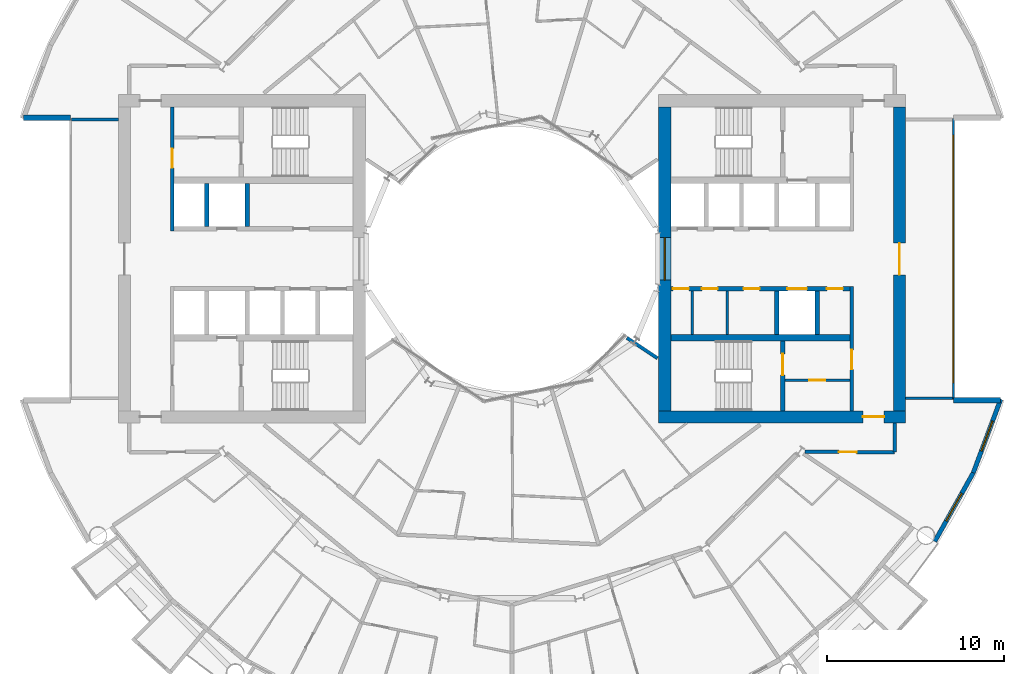
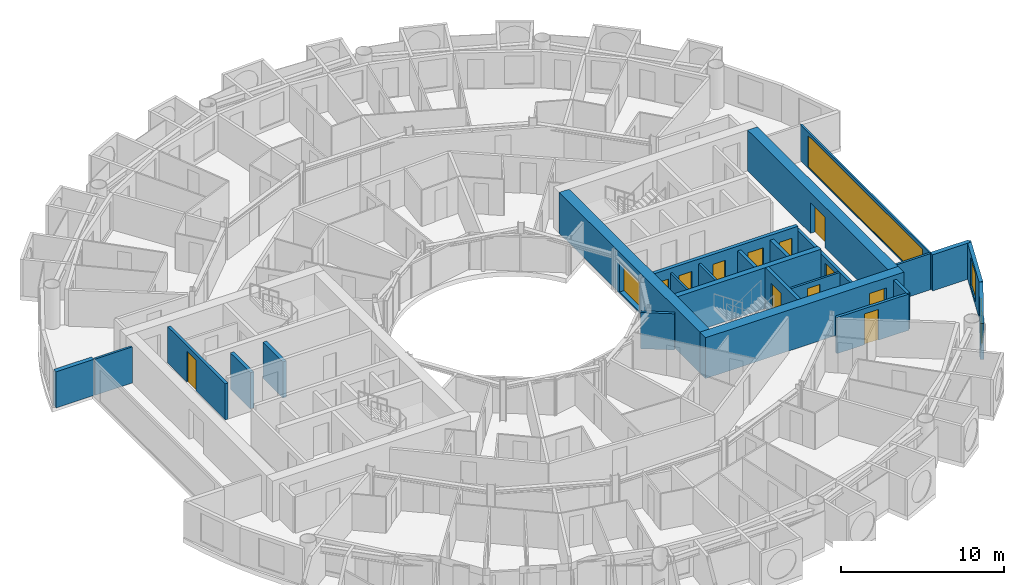
# One storey, part 17 of 26: 25 walls, 12 doors, 4 windows, 16 openings.
"""IFC4 building model written with IfcOpenShell, lengths in metres."""

import ifcopenshell
import ifcopenshell.guid

model = None  # the IFC model being written
_history = None  # IfcOwnerHistory: only IFC2X3 demands one
_inside = {}  # id of a spatial element -> (the spatial element, [elements in it])
_under = {}  # id of a project, library or spatial element -> (it, [spatial elements below it])
_declared = {}  # id of a project -> (the project, [libraries it declares])
_typed = {}  # id of a type object -> (the type object, [elements of that type])
_made_of = {}  # id of a material, layer set ... -> (it, [elements and type objects made of it])


def new_model(schema):
    """Start an empty IFC model of exactly this schema.

    Asked for "IFC4X3", IfcOpenShell would pick the latest addendum, in which some entities
    have other attributes; the version numbers below select the first issue.
    IFC2X3 requires an IfcOwnerHistory on every rooted entity: one is made here for all.
    """
    global model, _history
    if schema == "IFC4X3":
        model = ifcopenshell.file(schema_version=(4, 3, 0, 0))
    else:
        model = ifcopenshell.file(schema=schema)
    _inside.clear()
    _under.clear()
    _declared.clear()
    _typed.clear()
    _made_of.clear()
    _history = None
    if model.schema == "IFC2X3":
        org = make("IfcOrganization", Name="unknown")
        user = make(
            "IfcPersonAndOrganization",
            ThePerson=make("IfcPerson", FamilyName="unknown"),
            TheOrganization=org,
        )
        app = make(
            "IfcApplication",
            ApplicationDeveloper=org,
            Version="unknown",
            ApplicationFullName="unknown",
            ApplicationIdentifier="unknown",
        )
        _history = make(
            "IfcOwnerHistory",
            OwningUser=user,
            OwningApplication=app,
            ChangeAction="ADDED",
            CreationDate=0,
        )
    return model


def make(cls, **values):
    """One entity of the class cls with the attributes given. An attribute that is None is left unset."""
    return model.create_entity(
        cls, **{name: value for name, value in values.items() if value is not None}
    )


def rooted(cls, **values):
    """An entity with a GlobalId (a new one), such as an element, a storey or a relation."""
    return make(cls, GlobalId=ifcopenshell.guid.new(), OwnerHistory=_history, **values)


def si_unit(unit_type, name, prefix=None):
    """IfcSIUnit, for example si_unit("LENGTHUNIT", "METRE", prefix="MILLI")."""
    return make("IfcSIUnit", UnitType=unit_type, Prefix=prefix, Name=name)


def assignment(units):
    """IfcUnitAssignment: the units of a project."""
    return None if units is None else make("IfcUnitAssignment", Units=units)


def point(xyz):
    """IfcCartesianPoint."""
    return None if xyz is None else make("IfcCartesianPoint", Coordinates=xyz)


def direction(xyz):
    """IfcDirection."""
    return None if xyz is None else make("IfcDirection", DirectionRatios=xyz)


def frame(location, z_axis=None, x_axis=None):
    """IfcAxis2Placement3D, a coordinate frame: its origin and axes. An axis left out is left unset."""
    return make(
        "IfcAxis2Placement3D",
        Location=point(location),
        Axis=direction(z_axis),
        RefDirection=direction(x_axis),
    )


def frame_2d(location, x_axis=None):
    """IfcAxis2Placement2D, a coordinate frame in the plane: its origin and x axis."""
    return make(
        "IfcAxis2Placement2D", Location=point(location), RefDirection=direction(x_axis)
    )


def origin():
    """The frame at (0, 0, 0) with its axes left unset."""
    return frame((0.0, 0.0, 0.0))


def place(relative_to, where):
    """IfcLocalPlacement: puts the frame where relative to a parent placement (None: the world)."""
    return make(
        "IfcLocalPlacement", PlacementRelTo=relative_to, RelativePlacement=where
    )


def context(
    kind, dimensions, precision=None, world=None, true_north=None, identifier=None
):
    """IfcGeometricRepresentationContext, for example the 3D "Model" context."""
    return make(
        "IfcGeometricRepresentationContext",
        ContextIdentifier=identifier,
        ContextType=kind,
        CoordinateSpaceDimension=dimensions,
        Precision=precision,
        WorldCoordinateSystem=world,
        TrueNorth=true_north,
    )


def subcontext(parent, identifier, kind, view, scale=None):
    """IfcGeometricRepresentationSubContext, for example "Body" below "Model"."""
    return make(
        "IfcGeometricRepresentationSubContext",
        ContextIdentifier=identifier,
        ContextType=kind,
        ParentContext=parent,
        TargetScale=scale,
        TargetView=view,
    )


def project(units=None, contexts=None):
    """IfcProject with its units and contexts."""
    return rooted(
        "IfcProject",
        Name="project",
        RepresentationContexts=contexts,
        UnitsInContext=assignment(units),
    )


def spatial(cls, under=None, at=None, **own):
    """A site, building, storey or space (cls), placed at a placement, below another one or the project."""
    s = rooted(cls, ObjectPlacement=at, **own)
    if under is not None:
        _under.setdefault(under.id(), (under, []))[1].append(s)
    return s


def profile(cls, at=None, kind="AREA", **sizes):
    """A parametric profile (cls). Its sizes go by their IFC names, for example OverallWidth=200.0."""
    return make(cls, ProfileType=kind, Position=at, **sizes)


def rectangle(**sizes):
    """IfcRectangleProfileDef."""
    return profile("IfcRectangleProfileDef", **sizes)


def extrude(swept, where, along, depth):
    """IfcExtrudedAreaSolid: the profile swept, set in the frame where, extruded along a direction by depth."""
    return make(
        "IfcExtrudedAreaSolid",
        SweptArea=swept,
        Position=where,
        ExtrudedDirection=direction(along),
        Depth=depth,
    )


def shape(context_of_items, identifier, shape_type, items):
    """IfcShapeRepresentation: the items that make up one representation, for example the "Body"."""
    return make(
        "IfcShapeRepresentation",
        ContextOfItems=context_of_items,
        RepresentationIdentifier=identifier,
        RepresentationType=shape_type,
        Items=items,
    )


def material(Name=None, Category=None):
    """IfcMaterial."""
    return make("IfcMaterial", Name=Name, Category=Category)


def layer(
    of_material, thickness, ventilated=None, Name=None, Category=None, Priority=None
):
    """IfcMaterialLayer: one layer of a wall or slab, of a material (None: an air gap)."""
    return make(
        "IfcMaterialLayer",
        Material=of_material,
        LayerThickness=thickness,
        IsVentilated=ventilated,
        Name=Name,
        Category=Category,
        Priority=Priority,
    )


def layer_set(layers, Name=None):
    """IfcMaterialLayerSet."""
    return make("IfcMaterialLayerSet", MaterialLayers=layers, LayerSetName=Name)


def made_of(thing, what):
    """Note that an element or type object is made of a material, layer set ...; save() writes the relation."""
    if what is not None:
        _made_of.setdefault(what.id(), (what, []))[1].append(thing)
    return thing


def type_object(cls, material=None, **own):
    """A type object (cls), such as IfcWallType, which elements share."""
    return made_of(rooted(cls, **own), material)


def element(
    cls,
    number,
    at=None,
    inside=None,
    cuts=None,
    type_object=None,
    material=None,
    context=None,
    identifier="Body",
    shape_type=None,
    held_by="IfcProductDefinitionShape",
    body=None,
    shapes=None,
    **own,
):
    """One element of the class cls, such as IfcWall. Its Tag is "e" and its number.

    at: its placement. inside: the storey or other place that contains it. cuts: it is an
    opening in that element (IfcRelVoidsElement). A single representation is given by context,
    identifier, shape_type and body (its items); several are given by shapes. held_by: the class
    of the entity that holds the representations. save() writes the other relations.
    """
    e = rooted(cls, Tag="e%d" % number, ObjectPlacement=at, **own)
    if body is not None:
        shapes = [shape(context, identifier, shape_type, body)]
    if shapes is not None:
        e.Representation = make(held_by, Representations=shapes)
    if inside is not None:
        _inside.setdefault(inside.id(), (inside, []))[1].append(e)
    if cuts is not None:
        rooted(
            "IfcRelVoidsElement", RelatingBuildingElement=cuts, RelatedOpeningElement=e
        )
    if type_object is not None:
        _typed.setdefault(type_object.id(), (type_object, []))[1].append(e)
    return made_of(e, material)


def fill(opening, filler):
    """IfcRelFillsElement: the door or window that sits in an opening."""
    return rooted(
        "IfcRelFillsElement",
        RelatingOpeningElement=opening,
        RelatedBuildingElement=filler,
    )


def aggregate(whole, parts):
    """IfcRelAggregates: a whole, such as a stair, and the parts it consists of."""
    return rooted("IfcRelAggregates", RelatingObject=whole, RelatedObjects=parts)


def save(model, path):
    """Write the relations noted so far, then the file.

    IfcRelAggregates (storeys below a building ...), IfcRelContainedInSpatialStructure (elements
    in a storey), IfcRelDefinesByType, IfcRelAssociatesMaterial and IfcRelDeclares: one each for
    every whole, place, type object, material and project.
    """
    for whole, parts in _under.values():
        aggregate(whole, parts)
    for where, things in _inside.values():
        rooted(
            "IfcRelContainedInSpatialStructure",
            RelatedElements=things,
            RelatingStructure=where,
        )
    for kind, things in _typed.values():
        rooted("IfcRelDefinesByType", RelatedObjects=things, RelatingType=kind)
    for what, things in _made_of.values():
        rooted("IfcRelAssociatesMaterial", RelatedObjects=things, RelatingMaterial=what)
    for by, libraries in _declared.values():
        rooted("IfcRelDeclares", RelatingContext=by, RelatedDefinitions=libraries)
    model.write(path)


model = new_model("IFC4")

# Units and contexts
model_context = context("Model", 3, precision=1e-05, world=origin(), true_north=direction((0.0, 1.0)))
body_context = subcontext(model_context, "Body", "Model", "MODEL_VIEW")
ifc_project = project(units=[si_unit("LENGTHUNIT", "METRE"), si_unit("AREAUNIT", "SQUARE_METRE"), si_unit("VOLUMEUNIT", "CUBIC_METRE"), si_unit("PLANEANGLEUNIT", "RADIAN"), si_unit("MASSUNIT", "GRAM", prefix="KILO")], contexts=[model_context])

# Site, building, storey
site_placement = place(None, origin())
site = spatial("IfcSite", under=ifc_project, at=site_placement, CompositionType="ELEMENT")
building_placement = place(site_placement, origin())
building = spatial("IfcBuilding", under=site, at=building_placement, Name="Maasbend Ring Residences", CompositionType="ELEMENT")
storey_placement = place(building_placement, frame((0.0, 0.0, 72.75)))
storey = spatial("IfcBuildingStorey", under=building, at=storey_placement, Name="L20", CompositionType="ELEMENT", Elevation=72.75)

# Wall, openings, doors
ifc_material_1 = material(Name="Concrete C70/85", Category="concrete")
ifc_layer_1 = layer(ifc_material_1, 0.25)
ifc_layer_set_1 = layer_set([ifc_layer_1], Name="Concrete C70/85")
wall_type_1 = type_object("IfcWallType", Name="CORE WALL 250 C70/85", PredefinedType="SHEAR", material=ifc_layer_set_1)
wall_1_placement = place(storey_placement, frame((19.14990234375, -1.699951171875, 0.0), z_axis=(0.0, 0.0, 1.0), x_axis=(-1.0, 0.0, 0.0)))
wall_1 = element("IfcWall", 1, at=wall_1_placement, inside=storey, type_object=wall_type_1, Name="L20 core E wall SPS", PredefinedType="SHEAR", context=body_context, shape_type="SweptSolid", body=[
    extrude(rectangle(XDim=10.14990234375, YDim=0.25, at=frame_2d((5.074951171875, 0.0))), origin(), (0.0, 0.0, 1.0), 3.050048828125),
])
opening_1_placement = place(wall_1_placement, frame((2.449951171875, 0.0, 0.0)))
opening_1 = element("IfcOpeningElement", 2, at=opening_1_placement, cuts=wall_1, Name="Opening LD-E2005", PredefinedType="OPENING", context=body_context, shape_type="SweptSolid", body=[
    extrude(rectangle(XDim=1.10009765625, YDim=2.300048828125, at=frame_2d((0.550048828125, 1.14990234375))), frame((0.0, 0.135009765625, 0.0), z_axis=(0.0, -1.0, 0.0), x_axis=(1.0, 0.0, 0.0)), (0.0, 0.0, 1.0), 0.27001953125),
])
opening_2_placement = place(wall_1_placement, frame((9.137451171875, 0.0, 0.0)))
opening_2 = element("IfcOpeningElement", 3, at=opening_2_placement, cuts=wall_1, Name="Opening D-E2006", PredefinedType="OPENING", context=body_context, shape_type="SweptSolid", body=[
    extrude(rectangle(XDim=0.89990234375, YDim=2.300048828125, at=frame_2d((0.449951171875, 1.14990234375))), frame((0.0, 0.135009765625, 0.0), z_axis=(0.0, -1.0, 0.0), x_axis=(1.0, 0.0, 0.0)), (0.0, 0.0, 1.0), 0.27001953125),
])
opening_3_placement = place(wall_1_placement, frame((7.5, 0.0, 0.0)))
opening_3 = element("IfcOpeningElement", 4, at=opening_3_placement, cuts=wall_1, Name="Opening D-E2007", PredefinedType="OPENING", context=body_context, shape_type="SweptSolid", body=[
    extrude(rectangle(XDim=0.89990234375, YDim=2.300048828125, at=frame_2d((0.449951171875, 1.14990234375))), frame((0.0, 0.135009765625, 0.0), z_axis=(0.0, -1.0, 0.0), x_axis=(1.0, 0.0, 0.0)), (0.0, 0.0, 1.0), 0.27001953125),
])
opening_4_placement = place(wall_1_placement, frame((5.125, 0.0, 0.0)))
opening_4 = element("IfcOpeningElement", 5, at=opening_4_placement, cuts=wall_1, Name="Opening D-E2008", PredefinedType="OPENING", context=body_context, shape_type="SweptSolid", body=[
    extrude(rectangle(XDim=0.89990234375, YDim=2.300048828125, at=frame_2d((0.449951171875, 1.14990234375))), frame((0.0, 0.135009765625, 0.0), z_axis=(0.0, -1.0, 0.0), x_axis=(1.0, 0.0, 0.0)), (0.0, 0.0, 1.0), 0.27001953125),
])
opening_5_placement = place(wall_1_placement, frame((0.41259765625, 0.0, 0.0)))
opening_5 = element("IfcOpeningElement", 6, at=opening_5_placement, cuts=wall_1, Name="Opening D-E2009", PredefinedType="OPENING", context=body_context, shape_type="SweptSolid", body=[
    extrude(rectangle(XDim=0.89990234375, YDim=2.300048828125, at=frame_2d((0.449951171875, 1.14990234375))), frame((0.0, 0.135009765625, 0.0), z_axis=(0.0, -1.0, 0.0), x_axis=(1.0, 0.0, 0.0)), (0.0, 0.0, 1.0), 0.27001953125),
])
ifc_material_2 = material(Name="Stainless steel 316", Category="steel")
door_type_1 = type_object("IfcDoorType", Name="LANDING DOOR 1100 X 2300 FD60", OperationType="DOUBLE_DOOR_SLIDING", PredefinedType="DOOR", material=ifc_material_2)
door_1_placement = place(opening_1_placement, origin())
door_1 = element("IfcDoor", 7, at=door_1_placement, inside=storey, type_object=door_type_1, Name="Landing door SV-E L20", OperationType="DOUBLE_DOOR_SLIDING", OverallHeight=2.300048828125, OverallWidth=1.10009765625, PredefinedType="DOOR", context=body_context, shape_type="SweptSolid", body=[
    extrude(rectangle(XDim=1.10009765625, YDim=2.300048828125, at=frame_2d((0.550048828125, 1.14990234375))), frame((0.0, 0.02490234375, 0.0), z_axis=(0.0, -1.0, 0.0), x_axis=(1.0, 0.0, 0.0)), (0.0, 0.0, 1.0), 0.050048828125),
])
fill(opening_1, door_1)
ifc_material_3 = material(Name="Steel, powder coated", Category="steel")
door_type_2 = type_object("IfcDoorType", Name="ROOM DOOR 900 X 2300 FD30S", OperationType="NOTDEFINED", PredefinedType="DOOR", material=ifc_material_3)
door_2_placement = place(opening_2_placement, origin())
door_2 = element("IfcDoor", 8, at=door_2_placement, inside=storey, type_object=door_type_2, Name="Room door L20", OperationType="SINGLE_SWING_LEFT", OverallHeight=2.300048828125, OverallWidth=0.89990234375, PredefinedType="DOOR", context=body_context, shape_type="SweptSolid", body=[
    extrude(rectangle(XDim=0.89990234375, YDim=2.300048828125, at=frame_2d((0.449951171875, 1.14990234375))), frame((0.0, 0.02490234375, 0.0), z_axis=(0.0, -1.0, 0.0), x_axis=(1.0, 0.0, 0.0)), (0.0, 0.0, 1.0), 0.050048828125),
])
fill(opening_2, door_2)
door_3_placement = place(opening_3_placement, origin())
door_3 = element("IfcDoor", 9, at=door_3_placement, inside=storey, type_object=door_type_2, Name="Room door L20", OperationType="SINGLE_SWING_LEFT", OverallHeight=2.300048828125, OverallWidth=0.89990234375, PredefinedType="DOOR", context=body_context, shape_type="SweptSolid", body=[
    extrude(rectangle(XDim=0.89990234375, YDim=2.300048828125, at=frame_2d((0.449951171875, 1.14990234375))), frame((0.0, 0.02490234375, 0.0), z_axis=(0.0, -1.0, 0.0), x_axis=(1.0, 0.0, 0.0)), (0.0, 0.0, 1.0), 0.050048828125),
])
fill(opening_3, door_3)
door_4_placement = place(opening_4_placement, origin())
door_4 = element("IfcDoor", 10, at=door_4_placement, inside=storey, type_object=door_type_2, Name="Room door L20", OperationType="SINGLE_SWING_LEFT", OverallHeight=2.300048828125, OverallWidth=0.89990234375, PredefinedType="DOOR", context=body_context, shape_type="SweptSolid", body=[
    extrude(rectangle(XDim=0.89990234375, YDim=2.300048828125, at=frame_2d((0.449951171875, 1.14990234375))), frame((0.0, 0.02490234375, 0.0), z_axis=(0.0, -1.0, 0.0), x_axis=(1.0, 0.0, 0.0)), (0.0, 0.0, 1.0), 0.050048828125),
])
fill(opening_4, door_4)
door_5_placement = place(opening_5_placement, origin())
door_5 = element("IfcDoor", 11, at=door_5_placement, inside=storey, type_object=door_type_2, Name="Room door L20", OperationType="SINGLE_SWING_RIGHT", OverallHeight=2.300048828125, OverallWidth=0.89990234375, PredefinedType="DOOR", context=body_context, shape_type="SweptSolid", body=[
    extrude(rectangle(XDim=0.89990234375, YDim=2.300048828125, at=frame_2d((0.449951171875, 1.14990234375))), frame((0.0, 0.02490234375, 0.0), z_axis=(0.0, -1.0, 0.0), x_axis=(1.0, 0.0, 0.0)), (0.0, 0.0, 1.0), 0.050048828125),
])
fill(opening_5, door_5)

# Wall, opening, door
wall_2_placement = place(storey_placement, frame((15.324951171875, -8.60009765625, 0.0), z_axis=(0.0, 0.0, 1.0), x_axis=(0.0, 1.0, 0.0)))
wall_2 = element("IfcWall", 12, at=wall_2_placement, inside=storey, type_object=wall_type_1, Name="L20 core E wall STES", PredefinedType="SHEAR", context=body_context, shape_type="SweptSolid", body=[
    extrude(rectangle(XDim=3.9501953125, YDim=0.25, at=frame_2d((1.97509765625, 0.0))), origin(), (0.0, 0.0, 1.0), 3.050048828125),
])
opening_6_placement = place(wall_2_placement, frame((2.02490234375, 0.0, 0.0)))
opening_6 = element("IfcOpeningElement", 13, at=opening_6_placement, cuts=wall_2, Name="Opening D-E2012", PredefinedType="OPENING", context=body_context, shape_type="SweptSolid", body=[
    extrude(rectangle(XDim=1.199951171875, YDim=2.300048828125, at=frame_2d((0.60009765625, 1.14990234375))), frame((0.0, 0.135009765625, 0.0), z_axis=(0.0, -1.0, 0.0), x_axis=(1.0, 0.0, 0.0)), (0.0, 0.0, 1.0), 0.27001953125),
])
ifc_material_4 = material(Name="Steel, powder coated", Category="steel")
door_type_3 = type_object("IfcDoorType", Name="STAIR DOOR 1200 X 2300 FD60", OperationType="NOTDEFINED", PredefinedType="DOOR", material=ifc_material_4)
door_6_placement = place(opening_6_placement, origin())
door_6 = element("IfcDoor", 14, at=door_6_placement, inside=storey, type_object=door_type_3, Name="Stair door ST-E L20", OperationType="SINGLE_SWING_LEFT", OverallHeight=2.300048828125, OverallWidth=1.199951171875, PredefinedType="DOOR", context=body_context, shape_type="SweptSolid", body=[
    extrude(rectangle(XDim=1.199951171875, YDim=2.300048828125, at=frame_2d((0.60009765625, 1.14990234375))), frame((0.0, 0.02490234375, 0.0), z_axis=(0.0, -1.0, 0.0), x_axis=(1.0, 0.0, 0.0)), (0.0, 0.0, 1.0), 0.050048828125),
])
fill(opening_6, door_6)

# Wall
ifc_material_5 = material(Name="Concrete C70/85", Category="concrete")
ifc_layer_2 = layer(ifc_material_5, 0.375)
ifc_layer_set_2 = layer_set([ifc_layer_2], Name="Concrete C70/85")
wall_type_2 = type_object("IfcWallType", Name="CORE WALL 375 C70/85", PredefinedType="SHEAR", material=ifc_layer_set_2)
wall_3_placement = place(storey_placement, frame((9.0, -4.46240234375, 0.0), z_axis=(0.0, 0.0, 1.0), x_axis=(1.0, 0.0, 0.0)))
element("IfcWall", 15, at=wall_3_placement, inside=storey, type_object=wall_type_2, Name="L20 core E wall BS", PredefinedType="SHEAR", context=body_context, shape_type="SweptSolid", body=[
    extrude(rectangle(XDim=10.14990234375, YDim=0.375, at=frame_2d((5.074951171875, 0.0))), origin(), (0.0, 0.0, 1.0), 3.050048828125),
])

# Wall, opening, door
ifc_material_6 = material(Name="Concrete C70/85", Category="concrete")
ifc_layer_3 = layer(ifc_material_6, 0.699951171875)
ifc_layer_set_3 = layer_set([ifc_layer_3], Name="Concrete C70/85")
wall_type_3 = type_object("IfcWallType", Name="CORE WALL 700 C70/85", PredefinedType="SHEAR", material=ifc_layer_set_3)
wall_4_placement = place(storey_placement, frame((8.300048828125, -8.949951171875, 0.0), z_axis=(0.0, 0.0, 1.0), x_axis=(1.0, 0.0, 0.0)))
wall_4 = element("IfcWall", 16, at=wall_4_placement, inside=storey, type_object=wall_type_3, Name="L20 core E wall PS", PredefinedType="SHEAR", context=body_context, shape_type="SweptSolid", body=[
    extrude(rectangle(XDim=14.0, YDim=0.699951171875, at=frame_2d((7.0, 0.0))), origin(), (0.0, 0.0, 1.0), 3.050048828125),
])
opening_7_placement = place(wall_4_placement, frame((11.574951171875, 0.0, 0.0)))
opening_7 = element("IfcOpeningElement", 17, at=opening_7_placement, cuts=wall_4, Name="Opening D-E2016", PredefinedType="OPENING", context=body_context, shape_type="SweptSolid", body=[
    extrude(rectangle(XDim=1.199951171875, YDim=2.300048828125, at=frame_2d((0.60009765625, 1.14990234375))), frame((0.0, 0.35986328125, 0.0), z_axis=(0.0, -1.0, 0.0), x_axis=(1.0, 0.0, 0.0)), (0.0, 0.0, 1.0), 0.719970703125),
])
ifc_material_7 = material(Name="Steel, powder coated", Category="steel")
door_type_4 = type_object("IfcDoorType", Name="CORRIDOR DOOR 1200 X 2300 FD30S", OperationType="NOTDEFINED", PredefinedType="DOOR", material=ifc_material_7)
door_7_placement = place(opening_7_placement, origin())
door_7 = element("IfcDoor", 18, at=door_7_placement, inside=storey, type_object=door_type_4, Name="Corridor door L20", OperationType="SINGLE_SWING_LEFT", OverallHeight=2.300048828125, OverallWidth=1.199951171875, PredefinedType="DOOR", context=body_context, shape_type="SweptSolid", body=[
    extrude(rectangle(XDim=1.199951171875, YDim=2.300048828125, at=frame_2d((0.60009765625, 1.14990234375))), frame((0.0, 0.02490234375, 0.0), z_axis=(0.0, -1.0, 0.0), x_axis=(1.0, 0.0, 0.0)), (0.0, 0.0, 1.0), 0.050048828125),
])
fill(opening_7, door_7)

wall_5_placement = place(storey_placement, frame((21.949951171875, 8.60009765625, 0.0), z_axis=(0.0, 0.0, 1.0), x_axis=(0.0, -1.0, 0.0)))
wall_5 = element("IfcWall", 19, at=wall_5_placement, inside=storey, type_object=wall_type_3, Name="L20 core E wall POUT", PredefinedType="SHEAR", context=body_context, shape_type="SweptSolid", body=[
    extrude(rectangle(XDim=17.2001953125, YDim=0.699951171875, at=frame_2d((8.60009765625, 0.0))), origin(), (0.0, 0.0, 1.0), 3.050048828125),
])
opening_8_placement = place(wall_5_placement, frame((7.699951171875, 0.0, 0.0)))
opening_8 = element("IfcOpeningElement", 20, at=opening_8_placement, cuts=wall_5, Name="Opening D-E2017", PredefinedType="OPENING", context=body_context, shape_type="SweptSolid", body=[
    extrude(rectangle(XDim=1.800048828125, YDim=2.300048828125, at=frame_2d((0.89990234375, 1.14990234375))), frame((0.0, 0.35986328125, 0.0), z_axis=(0.0, -1.0, 0.0), x_axis=(1.0, 0.0, 0.0)), (0.0, 0.0, 1.0), 0.719970703125),
])
ifc_material_8 = material(Name="Aluminium frame, clear glass", Category="aluminium")
door_type_5 = type_object("IfcDoorType", Name="ENTRANCE DOOR 1800 X 2300 FD60", OperationType="NOTDEFINED", PredefinedType="DOOR", material=ifc_material_8)
door_8_placement = place(opening_8_placement, origin())
door_8 = element("IfcDoor", 21, at=door_8_placement, inside=storey, type_object=door_type_5, Name="Lobby glazed door L20", OperationType="SINGLE_SWING_LEFT", OverallHeight=2.300048828125, OverallWidth=1.800048828125, PredefinedType="DOOR", context=body_context, shape_type="SweptSolid", body=[
    extrude(rectangle(XDim=1.800048828125, YDim=2.300048828125, at=frame_2d((0.89990234375, 1.14990234375))), frame((0.0, 0.02490234375, 0.0), z_axis=(0.0, -1.0, 0.0), x_axis=(1.0, 0.0, 0.0)), (0.0, 0.0, 1.0), 0.050048828125),
])
fill(opening_8, door_8)

# Wall, opening, window
wall_6_placement = place(storey_placement, frame((8.64990234375, -8.60009765625, 0.0), z_axis=(0.0, 0.0, 1.0), x_axis=(0.0, 1.0, 0.0)))
wall_6 = element("IfcWall", 22, at=wall_6_placement, inside=storey, type_object=wall_type_3, Name="L20 core E wall PIN", PredefinedType="SHEAR", context=body_context, shape_type="SweptSolid", body=[
    extrude(rectangle(XDim=17.2001953125, YDim=0.699951171875, at=frame_2d((8.60009765625, 0.0))), origin(), (0.0, 0.0, 1.0), 3.050048828125),
])
opening_9_placement = place(wall_6_placement, frame((7.39990234375, 0.0, 0.10009765625)))
opening_9 = element("IfcOpeningElement", 23, at=opening_9_placement, cuts=wall_6, Name="Opening W-E2001", PredefinedType="OPENING", context=body_context, shape_type="SweptSolid", body=[
    extrude(rectangle(XDim=2.39990234375, YDim=2.199951171875, at=frame_2d((1.199951171875, 1.10009765625))), frame((0.0, 0.35986328125, 0.0), z_axis=(0.0, -1.0, 0.0), x_axis=(1.0, 0.0, 0.0)), (0.0, 0.0, 1.0), 0.719970703125),
])
ifc_material_9 = material(Name="Aluminium frame and clear glass", Category="aluminium")
window_type_1 = type_object("IfcWindowType", Name="FIXED WINDOW 2400 X 2200", PartitioningType="SINGLE_PANEL", PredefinedType="WINDOW", material=ifc_material_9)
window_1_placement = place(opening_9_placement, origin())
window_1 = element("IfcWindow", 24, at=window_1_placement, inside=storey, type_object=window_type_1, Name="Lobby window L20", OverallHeight=2.199951171875, OverallWidth=2.39990234375, PartitioningType="SINGLE_PANEL", PredefinedType="WINDOW", context=body_context, shape_type="SweptSolid", body=[
    extrude(rectangle(XDim=2.39990234375, YDim=2.199951171875, at=frame_2d((1.199951171875, 1.10009765625))), frame((0.0, 0.030029296875, 0.0), z_axis=(0.0, -1.0, 0.0), x_axis=(1.0, 0.0, 0.0)), (0.0, 0.0, 1.0), 0.06005859375),
])
fill(opening_9, window_1)

# Wall
ifc_material_10 = material(Name="Concrete C30/37", Category="concrete")
ifc_layer_4 = layer(ifc_material_10, 0.199951171875)
ifc_layer_set_4 = layer_set([ifc_layer_4], Name="Concrete C30/37")
wall_type_4 = type_object("IfcWallType", Name="CORRIDOR WALL 200 CONCRETE", PredefinedType="PARTITIONING", material=ifc_layer_set_4)
wall_7_placement = place(storey_placement, frame((21.675048828125, -10.949951171875, 0.0), z_axis=(0.0, 0.0, 1.0), x_axis=(0.0, 1.0, 0.0)))
element("IfcWall", 25, at=wall_7_placement, inside=storey, type_object=wall_type_4, Name="U-L20-w005", PredefinedType="PARTITIONING", context=body_context, shape_type="SweptSolid", body=[
    extrude(rectangle(XDim=1.64990234375, YDim=0.199951171875, at=frame_2d((0.824951171875, 0.0))), origin(), (0.0, 0.0, 1.0), 2.699951171875),
])

# Wall, opening, door
wall_8_placement = place(storey_placement, frame((16.587890625, -10.925048828125, 0.0), z_axis=(0.0, 0.0, 1.0), x_axis=(0.999988019025, -0.004895079807, 0.0)))
wall_8 = element("IfcWall", 26, at=wall_8_placement, inside=storey, type_object=wall_type_4, Name="U-L20-w025", PredefinedType="PARTITIONING", context=body_context, shape_type="SweptSolid", body=[
    extrude(rectangle(XDim=5.087158203125, YDim=0.199951171875, at=frame_2d((2.54345703125, 0.0))), origin(), (0.0, 0.0, 1.0), 2.699951171875),
])
opening_10_placement = place(wall_8_placement, frame((1.925048828125, 0.0, 0.0)))
opening_10 = element("IfcOpeningElement", 27, at=opening_10_placement, cuts=wall_8, Name="Opening D-2067", PredefinedType="OPENING", context=body_context, shape_type="SweptSolid", body=[
    extrude(rectangle(XDim=1.0, YDim=2.300048828125, at=frame_2d((0.5, 1.14990234375))), frame((0.0, 0.10986328125, 0.0), z_axis=(0.0, -1.0, 0.0), x_axis=(1.0, 0.0, 0.0)), (0.0, 0.0, 1.0), 0.219970703125),
])
ifc_material_11 = material(Name="Timber, painted", Category="wood")
door_type_6 = type_object("IfcDoorType", Name="ROOM DOOR 1000 X 2300", OperationType="NOTDEFINED", PredefinedType="DOOR", material=ifc_material_11)
door_9_placement = place(opening_10_placement, origin())
door_9 = element("IfcDoor", 28, at=door_9_placement, inside=storey, type_object=door_type_6, Name="D-2067", OperationType="SINGLE_SWING_LEFT", OverallHeight=2.300048828125, OverallWidth=1.0, PredefinedType="DOOR", context=body_context, shape_type="SweptSolid", body=[
    extrude(rectangle(XDim=1.0, YDim=2.300048828125, at=frame_2d((0.5, 1.14990234375))), frame((0.0, 0.02490234375, 0.0), z_axis=(0.0, -1.0, 0.0), x_axis=(1.0, 0.0, 0.0)), (0.0, 0.0, 1.0), 0.050048828125),
])
fill(opening_10, door_9)

# Wall, opening, window
ifc_material_12 = material(Name="Aluminium clad insulated panel", Category="aluminium")
ifc_layer_5 = layer(ifc_material_12, 0.25)
ifc_layer_set_5 = layer_set([ifc_layer_5], Name="EW-HORN")
wall_type_5 = type_object("IfcWallType", Name="EW-HORN", PredefinedType="SOLIDWALL", material=ifc_layer_set_5)
wall_9_placement = place(storey_placement, frame((23.946044921875, -16.0, 0.0), z_axis=(0.0, 0.0, 1.0), x_axis=(0.489696356642, 0.871893042919, 0.0)))
wall_9 = element("IfcWall", 29, at=wall_9_placement, inside=storey, type_object=wall_type_5, Name="Horn wall 2.1", PredefinedType="SOLIDWALL", context=body_context, shape_type="SweptSolid", body=[
    extrude(rectangle(XDim=4.45361328125, YDim=0.25, at=frame_2d((2.226806640625, 0.0))), origin(), (0.0, 0.0, 1.0), 2.699951171875),
])
opening_11_placement = place(wall_9_placement, frame((1.32666015625, 0.0, 0.300048828125)))
opening_11 = element("IfcOpeningElement", 30, at=opening_11_placement, cuts=wall_9, Name="Opening W-BX", PredefinedType="OPENING", context=body_context, shape_type="SweptSolid", body=[
    extrude(rectangle(XDim=1.800048828125, YDim=2.10009765625, at=frame_2d((0.89990234375, 1.050048828125))), frame((0.0, 0.135009765625, 0.0), z_axis=(0.0, -1.0, 0.0), x_axis=(1.0, 0.0, 0.0)), (0.0, 0.0, 1.0), 0.27001953125),
])
ifc_material_13 = material(Name="Aluminium and clear glass", Category="aluminium")
window_type_2 = type_object("IfcWindowType", Name="W-BX", PartitioningType="DOUBLE_PANEL_VERTICAL", PredefinedType="WINDOW", material=ifc_material_13)
window_2_placement = place(opening_11_placement, origin())
window_2 = element("IfcWindow", 31, at=window_2_placement, inside=storey, type_object=window_type_2, Name="Horn window 2.1", OverallHeight=2.10009765625, OverallWidth=1.800048828125, PartitioningType="SINGLE_PANEL", PredefinedType="WINDOW", context=body_context, shape_type="SweptSolid", body=[
    extrude(rectangle(XDim=1.800048828125, YDim=2.10009765625, at=frame_2d((0.89990234375, 1.050048828125))), frame((0.0, 0.030029296875, 0.0), z_axis=(0.0, -1.0, 0.0), x_axis=(1.0, 0.0, 0.0)), (0.0, 0.0, 1.0), 0.06005859375),
])
fill(opening_11, window_2)

wall_10_placement = place(storey_placement, frame((26.126953125, -12.116943359375, 0.0), z_axis=(0.0, 0.0, 1.0), x_axis=(0.349247811493, 0.937030397675, 0.0)))
wall_10 = element("IfcWall", 32, at=wall_10_placement, inside=storey, type_object=wall_type_5, Name="Horn wall 2.2", PredefinedType="SOLIDWALL", context=body_context, shape_type="SweptSolid", body=[
    extrude(rectangle(XDim=4.4521484375, YDim=0.25, at=frame_2d((2.22607421875, 0.0))), origin(), (0.0, 0.0, 1.0), 2.699951171875),
])
opening_12_placement = place(wall_10_placement, frame((1.32666015625, 0.0, 0.300048828125)))
opening_12 = element("IfcOpeningElement", 33, at=opening_12_placement, cuts=wall_10, Name="Opening W-BX", PredefinedType="OPENING", context=body_context, shape_type="SweptSolid", body=[
    extrude(rectangle(XDim=1.800048828125, YDim=2.10009765625, at=frame_2d((0.89990234375, 1.050048828125))), frame((0.0, 0.135009765625, 0.0), z_axis=(0.0, -1.0, 0.0), x_axis=(1.0, 0.0, 0.0)), (0.0, 0.0, 1.0), 0.27001953125),
])
window_3_placement = place(opening_12_placement, origin())
window_3 = element("IfcWindow", 34, at=window_3_placement, inside=storey, type_object=window_type_2, Name="Horn window 2.2", OverallHeight=2.10009765625, OverallWidth=1.800048828125, PartitioningType="SINGLE_PANEL", PredefinedType="WINDOW", context=body_context, shape_type="SweptSolid", body=[
    extrude(rectangle(XDim=1.800048828125, YDim=2.10009765625, at=frame_2d((0.89990234375, 1.050048828125))), frame((0.0, 0.030029296875, 0.0), z_axis=(0.0, -1.0, 0.0), x_axis=(1.0, 0.0, 0.0)), (0.0, 0.0, 1.0), 0.06005859375),
])
fill(opening_12, window_3)

# Walls
ifc_material_14 = material(Name="Aluminium clad insulated panel", Category="aluminium")
ifc_layer_6 = layer(ifc_material_14, 0.300048828125)
ifc_layer_set_6 = layer_set([ifc_layer_6], Name="EW-RET")
wall_type_6 = type_object("IfcWallType", Name="EW-RET", PredefinedType="SOLIDWALL", material=ifc_layer_set_6)
for number, where, z_axis, x_axis, name in (
    (35, (25.0, -8.0, 0.0), (0.0, 0.0, 1.0), (1.0, 0.0, 0.0), "Notch return wall east south"),
    (36, (-25.0, 8.0, 0.0), (0.0, 0.0, 1.0), (-1.0, 0.0, 0.0), "Notch return wall west north"),
):
    element("IfcWall", number, at=place(storey_placement, frame(where, z_axis=z_axis, x_axis=x_axis)), inside=storey, type_object=wall_type_6, Name=name, PredefinedType="SOLIDWALL", context=body_context, shape_type="SweptSolid", body=[
        extrude(rectangle(XDim=2.6669921875, YDim=0.300048828125, at=frame_2d((1.33349609375, 0.0))), origin(), (0.0, 0.0, 1.0), 2.699951171875),
    ])

# Wall, opening, window
ifc_material_15 = material(Name="Aluminium frame and clear glass", Category="aluminium")
ifc_layer_7 = layer(ifc_material_15, 0.1201171875)
ifc_layer_set_7 = layer_set([ifc_layer_7], Name="GLAZED SCREEN WALL 120 EI 60")
wall_type_7 = type_object("IfcWallType", Name="GLAZED SCREEN WALL 120 EI 60", PredefinedType="PARTITIONING", material=ifc_layer_set_7)
wall_11_placement = place(storey_placement, frame((25.0, -7.949951171875, 0.0), z_axis=(0.0, 0.0, 1.0), x_axis=(0.0, 1.0, 0.0)))
wall_11 = element("IfcWall", 37, at=wall_11_placement, inside=storey, type_object=wall_type_7, Name="L20 core E wall FACE", PredefinedType="PARTITIONING", context=body_context, shape_type="SweptSolid", body=[
    extrude(rectangle(XDim=15.89990234375, YDim=0.1201171875, at=frame_2d((7.949951171875, 0.0))), origin(), (0.0, 0.0, 1.0), 2.699951171875),
])
opening_13_placement = place(wall_11_placement, frame((0.949951171875, 0.0, 0.10009765625)))
opening_13 = element("IfcOpeningElement", 38, at=opening_13_placement, cuts=wall_11, Name="Opening W-E2002", PredefinedType="OPENING", context=body_context, shape_type="SweptSolid", body=[
    extrude(rectangle(XDim=14.0, YDim=2.35009765625, at=frame_2d((7.0, 1.175048828125))), frame((0.0, 0.070068359375, 0.0), z_axis=(0.0, -1.0, 0.0), x_axis=(1.0, 0.0, 0.0)), (0.0, 0.0, 1.0), 0.14013671875),
])
ifc_material_16 = material(Name="Aluminium frame and clear glass", Category="aluminium")
window_type_3 = type_object("IfcWindowType", Name="FIXED WINDOW 14000 X 2350", PartitioningType="SINGLE_PANEL", PredefinedType="WINDOW", material=ifc_material_16)
window_4_placement = place(opening_13_placement, origin())
window_4 = element("IfcWindow", 39, at=window_4_placement, inside=storey, type_object=window_type_3, Name="Lobby window L20", OverallHeight=2.35009765625, OverallWidth=14.0, PartitioningType="SINGLE_PANEL", PredefinedType="WINDOW", context=body_context, shape_type="SweptSolid", body=[
    extrude(rectangle(XDim=14.0, YDim=2.35009765625, at=frame_2d((7.0, 1.175048828125))), frame((0.0, 0.030029296875, 0.0), z_axis=(0.0, -1.0, 0.0), x_axis=(1.0, 0.0, 0.0)), (0.0, 0.0, 1.0), 0.06005859375),
])
fill(opening_13, window_4)

# Walls
ifc_material_17 = material(Name="Gypsum board on steel studs", Category="steel")
ifc_layer_8 = layer(ifc_material_17, 0.14990234375)
ifc_layer_set_8 = layer_set([ifc_layer_8], Name="PARTITION 150 EI 60")
wall_type_8 = type_object("IfcWallType", Name="PARTITION 150 EI 60", PredefinedType="PARTITIONING", material=ifc_layer_set_8)
for number, where, z_axis, x_axis, name in (
    (40, (10.199951171875, -1.824951171875, 0.0), (0.0, 0.0, 1.0), (0.0, -1.0, 0.0), "L20 core E wall PRS1020"),
    (41, (12.199951171875, -1.824951171875, 0.0), (0.0, 0.0, 1.0), (0.0, -1.0, 0.0), "L20 core E wall PRS1220"),
):
    element("IfcWall", number, at=place(storey_placement, frame(where, z_axis=z_axis, x_axis=x_axis)), inside=storey, type_object=wall_type_8, Name=name, PredefinedType="PARTITIONING", context=body_context, shape_type="SweptSolid", body=[
        extrude(rectangle(XDim=2.449951171875, YDim=0.14990234375, at=frame_2d((1.22509765625, 0.0))), origin(), (0.0, 0.0, 1.0), 2.699951171875),
    ])

# Wall, opening, door
wall_12_placement = place(storey_placement, frame((15.449951171875, -6.875, 0.0), z_axis=(0.0, 0.0, 1.0), x_axis=(1.0, 0.0, 0.0)))
wall_12 = element("IfcWall", 42, at=wall_12_placement, inside=storey, type_object=wall_type_8, Name="L20 core E wall RHS", PredefinedType="PARTITIONING", context=body_context, shape_type="SweptSolid", body=[
    extrude(rectangle(XDim=3.699951171875, YDim=0.14990234375, at=frame_2d((1.85009765625, 0.0))), origin(), (0.0, 0.0, 1.0), 2.699951171875),
])
opening_14_placement = place(wall_12_placement, frame((1.39990234375, 0.0, 0.0)))
opening_14 = element("IfcOpeningElement", 43, at=opening_14_placement, cuts=wall_12, Name="Opening D-E2010", PredefinedType="OPENING", context=body_context, shape_type="SweptSolid", body=[
    extrude(rectangle(XDim=0.89990234375, YDim=2.300048828125, at=frame_2d((0.449951171875, 1.14990234375))), frame((0.0, 0.0849609375, 0.0), z_axis=(0.0, -1.0, 0.0), x_axis=(1.0, 0.0, 0.0)), (0.0, 0.0, 1.0), 0.169921875),
])
ifc_material_18 = material(Name="Steel, powder coated", Category="steel")
door_type_7 = type_object("IfcDoorType", Name="RISER DOOR 900 X 2300 FD60", OperationType="NOTDEFINED", PredefinedType="DOOR", material=ifc_material_18)
door_10_placement = place(opening_14_placement, origin())
door_10 = element("IfcDoor", 44, at=door_10_placement, inside=storey, type_object=door_type_7, Name="Riser door L20", OperationType="SINGLE_SWING_LEFT", OverallHeight=2.300048828125, OverallWidth=0.89990234375, PredefinedType="DOOR", context=body_context, shape_type="SweptSolid", body=[
    extrude(rectangle(XDim=0.89990234375, YDim=2.300048828125, at=frame_2d((0.449951171875, 1.14990234375))), frame((0.0, 0.02490234375, 0.0), z_axis=(0.0, -1.0, 0.0), x_axis=(1.0, 0.0, 0.0)), (0.0, 0.0, 1.0), 0.050048828125),
])
fill(opening_14, door_10)

# Walls
for number, where, z_axis, x_axis, name in (
    (45, (22.300048828125, -7.89990234375, 0.0), (0.0, 0.0, 1.0), (1.0, 0.0, 0.0), "L20 core E wall CITS"),
    (46, (-22.300048828125, 7.89990234375, 0.0), (0.0, 0.0, 1.0), (-1.0, 0.0, 0.0), "L20 core W wall CITS"),
):
    element("IfcWall", number, at=place(storey_placement, frame(where, z_axis=z_axis, x_axis=x_axis)), inside=storey, type_object=wall_type_8, Name=name, PredefinedType="PARTITIONING", context=body_context, shape_type="SweptSolid", body=[
        extrude(rectangle(XDim=2.639892578125, YDim=0.14990234375, at=frame_2d((1.31982421875, 0.0))), origin(), (0.0, 0.0, 1.0), 2.699951171875),
    ])
ifc_material_19 = material(Name="Concrete C30/37", Category="concrete")
ifc_layer_9 = layer(ifc_material_19, 0.199951171875)
ifc_layer_set_9 = layer_set([ifc_layer_9], Name="Concrete C30/37")
wall_type_9 = type_object("IfcWallType", Name="PARTY WALL 200 CONCRETE", PredefinedType="PARTITIONING", material=ifc_layer_set_9)
wall_13_placement = place(storey_placement, frame((6.512939453125, -4.471923828125, 0.0), z_axis=(0.0, 0.0, 1.0), x_axis=(0.831382204863, -0.555701025225, 0.0)))
element("IfcWall", 47, at=wall_13_placement, inside=storey, type_object=wall_type_9, Name="U-L20-w027", PredefinedType="PARTITIONING", context=body_context, shape_type="SweptSolid", body=[
    extrude(rectangle(XDim=2.08203125, YDim=0.199951171875, at=frame_2d((1.041015625, 0.0))), origin(), (0.0, 0.0, 1.0), 2.699951171875),
])

# Wall, opening, door
ifc_material_20 = material(Name="Concrete C30/37", Category="concrete")
ifc_layer_10 = layer(ifc_material_20, 0.199951171875)
ifc_layer_set_10 = layer_set([ifc_layer_10], Name="Concrete C30/37")
wall_type_10 = type_object("IfcWallType", Name="SHAFT WALL 200 EI 120", PredefinedType="SOLIDWALL", material=ifc_layer_set_10)
wall_14_placement = place(storey_placement, frame((19.25, -8.60009765625, 0.0), z_axis=(0.0, 0.0, 1.0), x_axis=(0.0, 1.0, 0.0)))
wall_14 = element("IfcWall", 48, at=wall_14_placement, inside=storey, type_object=wall_type_10, Name="L20 core E wall ENDS", PredefinedType="SOLIDWALL", context=body_context, shape_type="SweptSolid", body=[
    extrude(rectangle(XDim=7.025146484375, YDim=0.199951171875, at=frame_2d((3.5126953125, 0.0))), origin(), (0.0, 0.0, 1.0), 2.699951171875),
])
opening_15_placement = place(wall_14_placement, frame((2.35009765625, 0.0, 0.0)))
opening_15 = element("IfcOpeningElement", 49, at=opening_15_placement, cuts=wall_14, Name="Opening D-E2014", PredefinedType="OPENING", context=body_context, shape_type="SweptSolid", body=[
    extrude(rectangle(XDim=1.10009765625, YDim=2.300048828125, at=frame_2d((0.550048828125, 1.14990234375))), frame((0.0, 0.10986328125, 0.0), z_axis=(0.0, -1.0, 0.0), x_axis=(1.0, 0.0, 0.0)), (0.0, 0.0, 1.0), 0.219970703125),
])
ifc_material_21 = material(Name="Steel, powder coated", Category="steel")
door_type_8 = type_object("IfcDoorType", Name="LOBBY DOOR 1100 X 2300 FD60", OperationType="NOTDEFINED", PredefinedType="DOOR", material=ifc_material_21)
door_11_placement = place(opening_15_placement, origin())
door_11 = element("IfcDoor", 50, at=door_11_placement, inside=storey, type_object=door_type_8, Name="Lobby door L20", OperationType="SINGLE_SWING_RIGHT", OverallHeight=2.300048828125, OverallWidth=1.10009765625, PredefinedType="DOOR", context=body_context, shape_type="SweptSolid", body=[
    extrude(rectangle(XDim=1.10009765625, YDim=2.300048828125, at=frame_2d((0.550048828125, 1.14990234375))), frame((0.0, 0.02490234375, 0.0), z_axis=(0.0, -1.0, 0.0), x_axis=(1.0, 0.0, 0.0)), (0.0, 0.0, 1.0), 0.050048828125),
])
fill(opening_15, door_11)

wall_15_placement = place(storey_placement, frame((-19.25, 8.60009765625, 0.0), z_axis=(0.0, 0.0, 1.0), x_axis=(0.0, -1.0, 0.0)))
wall_15 = element("IfcWall", 51, at=wall_15_placement, inside=storey, type_object=wall_type_10, Name="L20 core W wall ENDS", PredefinedType="SOLIDWALL", context=body_context, shape_type="SweptSolid", body=[
    extrude(rectangle(XDim=7.025146484375, YDim=0.199951171875, at=frame_2d((3.5126953125, 0.0))), origin(), (0.0, 0.0, 1.0), 2.699951171875),
])
opening_16_placement = place(wall_15_placement, frame((2.35009765625, 0.0, 0.0)))
opening_16 = element("IfcOpeningElement", 52, at=opening_16_placement, cuts=wall_15, Name="Opening D-W2011", PredefinedType="OPENING", context=body_context, shape_type="SweptSolid", body=[
    extrude(rectangle(XDim=1.10009765625, YDim=2.300048828125, at=frame_2d((0.550048828125, 1.14990234375))), frame((0.0, 0.10986328125, 0.0), z_axis=(0.0, -1.0, 0.0), x_axis=(1.0, 0.0, 0.0)), (0.0, 0.0, 1.0), 0.219970703125),
])
door_12_placement = place(opening_16_placement, origin())
door_12 = element("IfcDoor", 53, at=door_12_placement, inside=storey, type_object=door_type_8, Name="Lobby door L20", OperationType="SINGLE_SWING_RIGHT", OverallHeight=2.300048828125, OverallWidth=1.10009765625, PredefinedType="DOOR", context=body_context, shape_type="SweptSolid", body=[
    extrude(rectangle(XDim=1.10009765625, YDim=2.300048828125, at=frame_2d((0.550048828125, 1.14990234375))), frame((0.0, 0.02490234375, 0.0), z_axis=(0.0, -1.0, 0.0), x_axis=(1.0, 0.0, 0.0)), (0.0, 0.0, 1.0), 0.050048828125),
])
fill(opening_16, door_12)

# Walls
ifc_material_22 = material(Name="Concrete C30/37", Category="concrete")
ifc_layer_11 = layer(ifc_material_22, 0.25)
ifc_layer_set_11 = layer_set([ifc_layer_11], Name="Concrete C30/37")
wall_type_11 = type_object("IfcWallType", Name="SHAFT WALL 250 EI 120", PredefinedType="SOLIDWALL", material=ifc_layer_set_11)
for number, where, z_axis, x_axis, name in (
    (54, (15.0, -1.824951171875, 0.0), (0.0, 0.0, 1.0), (0.0, -1.0, 0.0), "L20 core E wall D150S"),
    (55, (17.300048828125, -1.824951171875, 0.0), (0.0, 0.0, 1.0), (0.0, -1.0, 0.0), "L20 core E wall D173S"),
    (56, (-15.0, 1.824951171875, 0.0), (0.0, 0.0, 1.0), (0.0, 1.0, 0.0), "L20 core W wall D150S"),
    (57, (-17.300048828125, 1.824951171875, 0.0), (0.0, 0.0, 1.0), (0.0, 1.0, 0.0), "L20 core W wall D173S"),
):
    element("IfcWall", number, at=place(storey_placement, frame(where, z_axis=z_axis, x_axis=x_axis)), inside=storey, type_object=wall_type_11, Name=name, PredefinedType="SOLIDWALL", context=body_context, shape_type="SweptSolid", body=[
        extrude(rectangle(XDim=2.449951171875, YDim=0.25, at=frame_2d((1.22509765625, 0.0))), origin(), (0.0, 0.0, 1.0), 2.699951171875),
    ])

save(model, "model.ifc")
